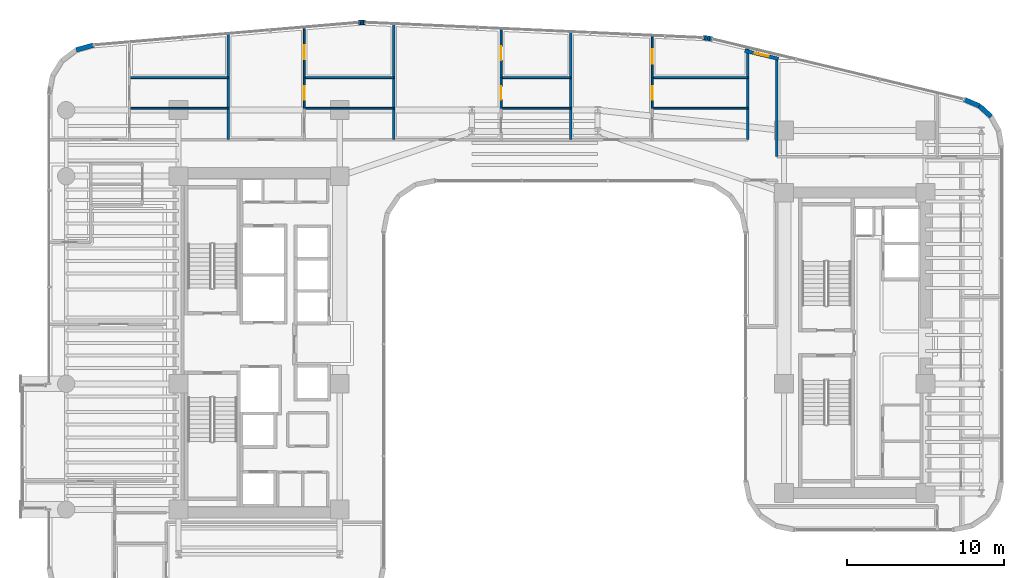
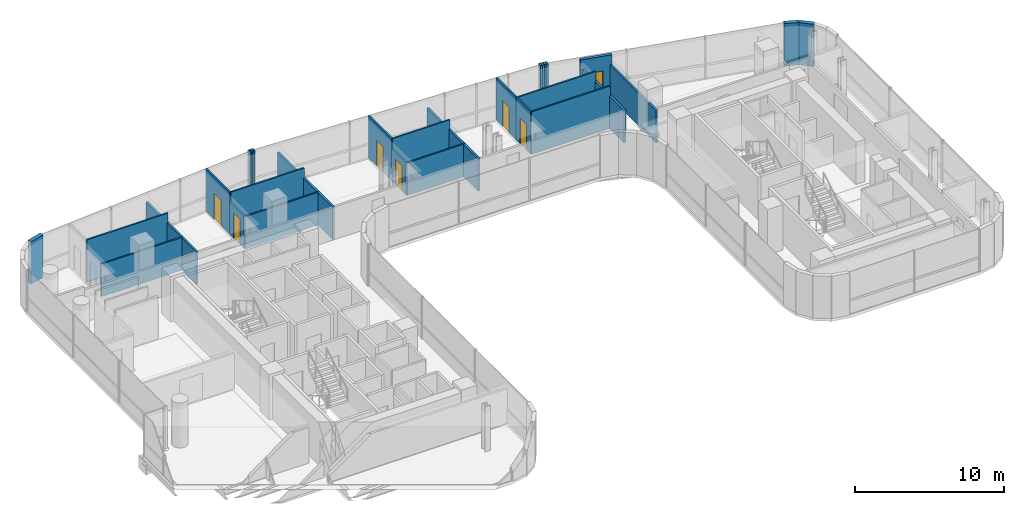
# One storey, part 32 of 38: 31 walls, 6 doors, 1 window, 7 openings.
"""IFC4 building model written with IfcOpenShell, lengths in metres."""

from ifc_helpers import new_model, si_unit, direction, frame, frame_2d, origin, place, context, subcontext, project, spatial, rectangle, extrude, material, layer, layer_set, type_object, element, fill, save


model = new_model("IFC4")

# Units and contexts
model_context = context("Model", 3, precision=1e-05, world=origin(), true_north=direction((0.0, 1.0)))
body_context = subcontext(model_context, "Body", "Model", "MODEL_VIEW")
ifc_project = project(units=[si_unit("LENGTHUNIT", "METRE"), si_unit("AREAUNIT", "SQUARE_METRE"), si_unit("VOLUMEUNIT", "CUBIC_METRE"), si_unit("PLANEANGLEUNIT", "RADIAN"), si_unit("MASSUNIT", "GRAM", prefix="KILO")], contexts=[model_context])

# Site, building, storey
site_placement = place(None, origin())
site = spatial("IfcSite", under=ifc_project, at=site_placement, CompositionType="ELEMENT")
building_placement = place(site_placement, origin())
building = spatial("IfcBuilding", under=site, at=building_placement, Name="Valdorenza Pilgrim Sanctuary Tower", CompositionType="ELEMENT")
storey_placement = place(building_placement, frame((0.0, 0.0, 131.60009765625)))
storey = spatial("IfcBuildingStorey", under=building, at=storey_placement, Name="L33", CompositionType="ELEMENT", Elevation=131.60009765625)

# Walls
ifc_material_1 = material(Name="Acoustic twin-stud gypsum partition", Category="gypsum")
ifc_layer_1 = layer(ifc_material_1, 0.159912109375, Name="Acoustic twin-stud gypsum partition")
ifc_layer_set_1 = layer_set([ifc_layer_1], Name="Acoustic twin-stud gypsum partition")
wall_type_1 = type_object("IfcWallType", Name="WAL-COR-160", PredefinedType="PARTITIONING", material=ifc_layer_set_1)
wall_1_placement = place(storey_placement, frame((13.550048828125, 12.919921875, 0.0), z_axis=(0.0, 0.0, 1.0), x_axis=(0.0, 1.0, 0.0)))
element("IfcWall", 1, at=wall_1_placement, inside=storey, type_object=wall_type_1, Name="L33 North Band East Closure", PredefinedType="PARTITIONING", context=body_context, shape_type="SweptSolid", body=[
    extrude(rectangle(XDim=5.856689453125, YDim=0.159912109375, at=frame_2d((2.92822265625, 0.0))), origin(), (0.0, 0.0, 1.0), 2.666015625),
])
wall_2_placement = place(storey_placement, frame((15.39990234375, 11.85009765625, 0.0), z_axis=(0.0, 0.0, 1.0), x_axis=(0.0, 1.0, 0.0)))
element("IfcWall", 2, at=wall_2_placement, inside=storey, type_object=wall_type_1, Name="L33 Wing B North West Wall", PredefinedType="PARTITIONING", context=body_context, shape_type="SweptSolid", body=[
    extrude(rectangle(XDim=6.14990234375, YDim=0.159912109375, at=frame_2d((3.074951171875, 0.0))), origin(), (0.0, 0.0, 1.0), 2.666015625),
])
ifc_material_2 = material(Name="Honed travertine limestone", Category="masonry")
ifc_layer_2 = layer(ifc_material_2, 0.300048828125, Name="Honed travertine limestone")
ifc_layer_set_2 = layer_set([ifc_layer_2], Name="Honed travertine limestone")
wall_type_2 = type_object("IfcWallType", Name="WAL-EXT-300", PredefinedType="SOLIDWALL", material=ifc_layer_set_2)
wall_3_placement = place(storey_placement, frame((-29.16064453125, 18.632568359375, 0.0), z_axis=(0.0, 0.0, 1.0), x_axis=(0.963624193367, 0.267260947313, 0.0)))
element("IfcWall", 3, at=wall_3_placement, inside=storey, type_object=wall_type_2, Name="L33 Rounded Wind-Corner Stone Pier 5", PredefinedType="SOLIDWALL", context=body_context, shape_type="SweptSolid", body=[
    extrude(rectangle(XDim=1.15087890625, YDim=0.300048828125, at=frame_2d((0.575439453125, 0.0))), origin(), (0.0, 0.0, 1.0), 3.4599609375),
])
wall_4_placement = place(storey_placement, frame((-11.199462890625, 20.37255859375, 0.0), z_axis=(0.0, 0.0, 1.0), x_axis=(0.997567332166, 0.069709524416, 0.0)))
element("IfcWall", 4, at=wall_4_placement, inside=storey, type_object=wall_type_2, Name="L33 Rounded Wind-Corner Stone Pier 7", PredefinedType="SOLIDWALL", context=body_context, shape_type="SweptSolid", body=[
    extrude(rectangle(XDim=0.1015625, YDim=0.300048828125, at=frame_2d((0.05078125, 0.0))), origin(), (0.0, 0.0, 1.0), 3.4599609375),
])
wall_5_placement = place(storey_placement, frame((-11.09814453125, 20.379638671875, 0.0), z_axis=(0.0, 0.0, 1.0), x_axis=(0.999334672785, 0.03647206835, 0.0)))
element("IfcWall", 5, at=wall_5_placement, inside=storey, type_object=wall_type_2, Name="L33 Rounded Wind-Corner Stone Pier 8", PredefinedType="SOLIDWALL", context=body_context, shape_type="SweptSolid", body=[
    extrude(rectangle(XDim=0.100341796875, YDim=0.300048828125, at=frame_2d((0.05029296875, 0.0))), origin(), (0.0, 0.0, 1.0), 3.4599609375),
])
wall_6_placement = place(storey_placement, frame((-10.997802734375, 20.38330078125, 0.0), z_axis=(0.0, 0.0, 1.0), x_axis=(0.999997054401, 0.002427177317, 0.0)))
element("IfcWall", 6, at=wall_6_placement, inside=storey, type_object=wall_type_2, Name="L33 Rounded Wind-Corner Stone Pier 9", PredefinedType="SOLIDWALL", context=body_context, shape_type="SweptSolid", body=[
    extrude(rectangle(XDim=0.1005859375, YDim=0.300048828125, at=frame_2d((0.05029296875, 0.0))), origin(), (0.0, 0.0, 1.0), 3.4599609375),
])
wall_7_placement = place(storey_placement, frame((-10.897216796875, 20.383544921875, 0.0), z_axis=(0.0, 0.0, 1.0), x_axis=(0.999584209171, -0.02883415988, 0.0)))
element("IfcWall", 7, at=wall_7_placement, inside=storey, type_object=wall_type_2, Name="L33 Rounded Wind-Corner Stone Pier 10", PredefinedType="SOLIDWALL", context=body_context, shape_type="SweptSolid", body=[
    extrude(rectangle(XDim=0.1015625, YDim=0.300048828125, at=frame_2d((0.05078125, 0.0))), origin(), (0.0, 0.0, 1.0), 3.4599609375),
])
wall_8_placement = place(storey_placement, frame((10.68994140625, 19.404052734375, 0.0), z_axis=(0.0, 0.0, 1.0), x_axis=(0.99758310784, -0.069483400546, 0.0)))
element("IfcWall", 8, at=wall_8_placement, inside=storey, type_object=wall_type_2, Name="L33 Rounded Wind-Corner Stone Pier 12", PredefinedType="SOLIDWALL", context=body_context, shape_type="SweptSolid", body=[
    extrude(rectangle(XDim=0.1474609375, YDim=0.300048828125, at=frame_2d((0.07373046875, 0.0))), origin(), (0.0, 0.0, 1.0), 3.4599609375),
])
for number, where, z_axis, x_axis, name in (
    (9, (10.837158203125, 19.393798828125, 0.0), (0.0, 0.0, 1.0), (0.993173334962, -0.116647874912, 0.0), "L33 Rounded Wind-Corner Stone Pier 13"),
    (10, (10.982666015625, 19.376708984375, 0.0), (0.0, 0.0, 1.0), (0.986573494681, -0.163317909592, 0.0), "L33 Rounded Wind-Corner Stone Pier 14"),
):
    element("IfcWall", number, at=place(storey_placement, frame(where, z_axis=z_axis, x_axis=x_axis)), inside=storey, type_object=wall_type_2, Name=name, PredefinedType="SOLIDWALL", context=body_context, shape_type="SweptSolid", body=[
        extrude(rectangle(XDim=0.146484375, YDim=0.300048828125, at=frame_2d((0.0732421875, 0.0))), origin(), (0.0, 0.0, 1.0), 3.4599609375),
    ])
wall_9_placement = place(storey_placement, frame((11.127197265625, 19.352783203125, 0.0), z_axis=(0.0, 0.0, 1.0), x_axis=(0.978019841688, -0.208511844421, 0.0)))
element("IfcWall", 11, at=wall_9_placement, inside=storey, type_object=wall_type_2, Name="L33 Rounded Wind-Corner Stone Pier 15", PredefinedType="SOLIDWALL", context=body_context, shape_type="SweptSolid", body=[
    extrude(rectangle(XDim=0.1474609375, YDim=0.300048828125, at=frame_2d((0.07373046875, 0.0))), origin(), (0.0, 0.0, 1.0), 3.4599609375),
])

# Wall, opening, window
wall_10_placement = place(storey_placement, frame((13.355224609375, 18.576416015625, 0.0), z_axis=(0.0, 0.0, 1.0), x_axis=(0.97252211384, -0.232810519721, 0.0)))
wall_10 = element("IfcWall", 12, at=wall_10_placement, inside=storey, type_object=wall_type_2, Name="L33 Operable Ventilation Sash Jamb Pier", PredefinedType="SOLIDWALL", context=body_context, shape_type="SweptSolid", body=[
    extrude(rectangle(XDim=2.2001953125, YDim=0.219970703125, at=frame_2d((1.10009765625, 0.0))), origin(), (0.0, 0.0, 1.0), 3.4599609375),
])
opening_1_placement = place(wall_10_placement, frame((0.64990234375, 0.0, 0.949951171875)))
opening_1 = element("IfcOpeningElement", 13, at=opening_1_placement, cuts=wall_10, Name="Opening WN-OP1", PredefinedType="OPENING", context=body_context, shape_type="SweptSolid", body=[
    extrude(rectangle(XDim=0.89990234375, YDim=1.300048828125, at=frame_2d((0.449951171875, 0.64990234375))), frame((0.0, 0.125, 0.0), z_axis=(0.0, -1.0, 0.0), x_axis=(1.0, 0.0, 0.0)), (0.0, 0.0, 1.0), 0.249755859375),
])
ifc_material_3 = material(Name="Ceramic-fritted low-E IGU glazing", Category="glass")
window_type = type_object("IfcWindowType", Name="WIN-OPN-900", PartitioningType="SINGLE_PANEL", PredefinedType="WINDOW", material=ifc_material_3)
window_placement = place(opening_1_placement, origin())
window = element("IfcWindow", 14, at=window_placement, inside=storey, type_object=window_type, Name="L33 Parallel-Pop-Out Operable Facade Panel", OverallHeight=1.300048828125, OverallWidth=0.89990234375, PartitioningType="SINGLE_PANEL", PredefinedType="WINDOW", context=body_context, shape_type="SweptSolid", body=[
    extrude(rectangle(XDim=0.89990234375, YDim=1.300048828125, at=frame_2d((0.449951171875, 0.64990234375))), frame((0.0, 0.030029296875, 0.0), z_axis=(0.0, -1.0, 0.0), x_axis=(1.0, 0.0, 0.0)), (0.0, 0.0, 1.0), 0.06005859375),
])
fill(opening_1, window)

# Walls
wall_11_placement = place(storey_placement, frame((27.310302734375, 15.48291015625, 0.0), z_axis=(0.0, 0.0, 1.0), x_axis=(0.920250328759, -0.391330208927, 0.0)))
element("IfcWall", 15, at=wall_11_placement, inside=storey, type_object=wall_type_2, Name="L33 Rounded Wind-Corner Stone Pier 17", PredefinedType="SOLIDWALL", context=body_context, shape_type="SweptSolid", body=[
    extrude(rectangle(XDim=1.0361328125, YDim=0.300048828125, at=frame_2d((0.51806640625, 0.0))), origin(), (0.0, 0.0, 1.0), 3.4599609375),
])
wall_12_placement = place(storey_placement, frame((28.263916015625, 15.077392578125, 0.0), z_axis=(0.0, 0.0, 1.0), x_axis=(0.741208839713, -0.671274501178, 0.0)))
element("IfcWall", 16, at=wall_12_placement, inside=storey, type_object=wall_type_2, Name="L33 Rounded Wind-Corner Stone Pier 18", PredefinedType="SOLIDWALL", context=body_context, shape_type="SweptSolid", body=[
    extrude(rectangle(XDim=1.0263671875, YDim=0.300048828125, at=frame_2d((0.51318359375, 0.0))), origin(), (0.0, 0.0, 1.0), 3.4599609375),
])
ifc_material_4 = material(Name="Moisture-resistant gypsum partition", Category="gypsum")
ifc_layer_3 = layer(ifc_material_4, 0.1201171875, Name="Moisture-resistant gypsum partition")
ifc_layer_set_3 = layer_set([ifc_layer_3], Name="Moisture-resistant gypsum partition")
wall_type_3 = type_object("IfcWallType", Name="WAL-INT-120", PredefinedType="PARTITIONING", material=ifc_layer_set_3)
wall_13_placement = place(storey_placement, frame((-25.77490234375, 14.919921875, 0.0), z_axis=(0.0, 0.0, 1.0), x_axis=(1.0, 0.0, 0.0)))
element("IfcWall", 17, at=wall_13_placement, inside=storey, type_object=wall_type_3, Name="L33 North Sanctuary Apartment L33-N1 Bath-Kitchen Wall", PredefinedType="PARTITIONING", context=body_context, shape_type="SweptSolid", body=[
    extrude(rectangle(XDim=6.27490234375, YDim=0.1201171875, at=frame_2d((3.137451171875, 0.0))), origin(), (0.0, 0.0, 1.0), 2.666015625),
])
wall_14_placement = place(storey_placement, frame((-25.77490234375, 16.8701171875, 0.0), z_axis=(0.0, 0.0, 1.0), x_axis=(1.0, 0.0, 0.0)))
element("IfcWall", 18, at=wall_14_placement, inside=storey, type_object=wall_type_3, Name="L33 North Sanctuary Apartment L33-N1 Kitchen-Bedroom Wall", PredefinedType="PARTITIONING", context=body_context, shape_type="SweptSolid", body=[
    extrude(rectangle(XDim=6.27490234375, YDim=0.1201171875, at=frame_2d((3.137451171875, 0.0))), origin(), (0.0, 0.0, 1.0), 3.4599609375),
])
wall_15_placement = place(storey_placement, frame((-14.658447265625, 14.919921875, 0.0), z_axis=(0.0, 0.0, 1.0), x_axis=(1.0, 0.0, 0.0)))
element("IfcWall", 19, at=wall_15_placement, inside=storey, type_object=wall_type_3, Name="L33 North Sanctuary Apartment L33-N2 Bath-Kitchen Wall", PredefinedType="PARTITIONING", context=body_context, shape_type="SweptSolid", body=[
    extrude(rectangle(XDim=5.683349609375, YDim=0.1201171875, at=frame_2d((2.841796875, 0.0))), origin(), (0.0, 0.0, 1.0), 2.666015625),
])
wall_16_placement = place(storey_placement, frame((-14.658447265625, 16.8701171875, 0.0), z_axis=(0.0, 0.0, 1.0), x_axis=(1.0, 0.0, 0.0)))
element("IfcWall", 20, at=wall_16_placement, inside=storey, type_object=wall_type_3, Name="L33 North Sanctuary Apartment L33-N2 Kitchen-Bedroom Wall", PredefinedType="PARTITIONING", context=body_context, shape_type="SweptSolid", body=[
    extrude(rectangle(XDim=5.683349609375, YDim=0.1201171875, at=frame_2d((2.841796875, 0.0))), origin(), (0.0, 0.0, 1.0), 3.4599609375),
])

# Wall, opening, door
wall_17_placement = place(storey_placement, frame((-14.658447265625, 14.919921875, 0.0), z_axis=(0.0, 0.0, 1.0), x_axis=(0.0, 1.0, 0.0)))
wall_17 = element("IfcWall", 21, at=wall_17_placement, inside=storey, type_object=wall_type_3, Name="L33 North Sanctuary Apartment L33-N2 Bathroom Door Wall", PredefinedType="PARTITIONING", context=body_context, shape_type="SweptSolid", body=[
    extrude(rectangle(XDim=1.9501953125, YDim=0.1201171875, at=frame_2d((0.97509765625, 0.0))), origin(), (0.0, 0.0, 1.0), 2.666015625),
])
opening_2_placement = place(wall_17_placement, frame((0.550048828125, 0.0, 0.0)))
opening_2 = element("IfcOpeningElement", 22, at=opening_2_placement, cuts=wall_17, Name="Opening DR-WC1", PredefinedType="OPENING", context=body_context, shape_type="SweptSolid", body=[
    extrude(rectangle(XDim=0.85009765625, YDim=2.10009765625, at=frame_2d((0.425048828125, 1.050048828125))), frame((0.0, 0.074951171875, 0.0), z_axis=(0.0, -1.0, 0.0), x_axis=(1.0, 0.0, 0.0)), (0.0, 0.0, 1.0), 0.14990234375),
])
ifc_material_5 = material(Name="Moisture-resistant lacquered timber", Category="wood")
door_type_1 = type_object("IfcDoorType", Name="DR-BATH-850", OperationType="NOTDEFINED", PredefinedType="DOOR", material=ifc_material_5)
door_1_placement = place(opening_2_placement, origin())
door_1 = element("IfcDoor", 23, at=door_1_placement, inside=storey, type_object=door_type_1, Name="L33 North Sanctuary Apartment L33-N2 Bathroom Door", OperationType="SINGLE_SWING_LEFT", OverallHeight=2.10009765625, OverallWidth=0.85009765625, PredefinedType="DOOR", context=body_context, shape_type="SweptSolid", body=[
    extrude(rectangle(XDim=0.85009765625, YDim=2.10009765625, at=frame_2d((0.425048828125, 1.050048828125))), frame((0.0, 0.02490234375, 0.0), z_axis=(0.0, -1.0, 0.0), x_axis=(1.0, 0.0, 0.0)), (0.0, 0.0, 1.0), 0.050048828125),
])
fill(opening_2, door_1)

wall_18_placement = place(storey_placement, frame((-14.658447265625, 16.8701171875, 0.0), z_axis=(0.0, 0.0, 1.0), x_axis=(0.0, 1.0, 0.0)))
wall_18 = element("IfcWall", 24, at=wall_18_placement, inside=storey, type_object=wall_type_3, Name="L33 North Sanctuary Apartment L33-N2 Bedroom Door Wall", PredefinedType="PARTITIONING", context=body_context, shape_type="SweptSolid", body=[
    extrude(rectangle(XDim=3.20849609375, YDim=0.1201171875, at=frame_2d((1.604248046875, 0.0))), origin(), (0.0, 0.0, 1.0), 3.4599609375),
])
opening_3_placement = place(wall_18_placement, frame((1.154052734375, 0.0, 0.0)))
opening_3 = element("IfcOpeningElement", 25, at=opening_3_placement, cuts=wall_18, Name="Opening DR-RM1", PredefinedType="OPENING", context=body_context, shape_type="SweptSolid", body=[
    extrude(rectangle(XDim=0.89990234375, YDim=2.10009765625, at=frame_2d((0.449951171875, 1.050048828125))), frame((0.0, 0.074951171875, 0.0), z_axis=(0.0, -1.0, 0.0), x_axis=(1.0, 0.0, 0.0)), (0.0, 0.0, 1.0), 0.14990234375),
])
ifc_material_6 = material(Name="Solid-core European oak timber", Category="wood")
door_type_2 = type_object("IfcDoorType", Name="DR-ROOM-900", OperationType="NOTDEFINED", PredefinedType="DOOR", material=ifc_material_6)
door_2_placement = place(opening_3_placement, frame((0.89990234375, 0.0, 0.0), z_axis=(0.0, 0.0, 1.0), x_axis=(-1.0, 0.0, 0.0)))
door_2 = element("IfcDoor", 26, at=door_2_placement, inside=storey, type_object=door_type_2, Name="L33 North Sanctuary Apartment L33-N2 Bedroom Door", OperationType="SINGLE_SWING_LEFT", OverallHeight=2.10009765625, OverallWidth=0.89990234375, PredefinedType="DOOR", context=body_context, shape_type="SweptSolid", body=[
    extrude(rectangle(XDim=0.89990234375, YDim=2.10009765625, at=frame_2d((0.449951171875, 1.050048828125))), frame((0.0, 0.02490234375, 0.0), z_axis=(0.0, -1.0, 0.0), x_axis=(1.0, 0.0, 0.0)), (0.0, 0.0, 1.0), 0.050048828125),
])
fill(opening_3, door_2)

# Walls
wall_19_placement = place(storey_placement, frame((-2.14453125, 14.919921875, 0.0), z_axis=(0.0, 0.0, 1.0), x_axis=(1.0, 0.0, 0.0)))
element("IfcWall", 27, at=wall_19_placement, inside=storey, type_object=wall_type_3, Name="L33 North Sanctuary Apartment L33-N3 Bath-Kitchen Wall", PredefinedType="PARTITIONING", context=body_context, shape_type="SweptSolid", body=[
    extrude(rectangle(XDim=4.431640625, YDim=0.1201171875, at=frame_2d((2.2158203125, 0.0))), origin(), (0.0, 0.0, 1.0), 2.666015625),
])
wall_20_placement = place(storey_placement, frame((-2.14453125, 16.8701171875, 0.0), z_axis=(0.0, 0.0, 1.0), x_axis=(1.0, 0.0, 0.0)))
element("IfcWall", 28, at=wall_20_placement, inside=storey, type_object=wall_type_3, Name="L33 North Sanctuary Apartment L33-N3 Kitchen-Bedroom Wall", PredefinedType="PARTITIONING", context=body_context, shape_type="SweptSolid", body=[
    extrude(rectangle(XDim=4.431640625, YDim=0.1201171875, at=frame_2d((2.2158203125, 0.0))), origin(), (0.0, 0.0, 1.0), 3.4599609375),
])

# Wall, opening, door
wall_21_placement = place(storey_placement, frame((-2.14453125, 14.919921875, 0.0), z_axis=(0.0, 0.0, 1.0), x_axis=(0.0, 1.0, 0.0)))
wall_21 = element("IfcWall", 29, at=wall_21_placement, inside=storey, type_object=wall_type_3, Name="L33 North Sanctuary Apartment L33-N3 Bathroom Door Wall", PredefinedType="PARTITIONING", context=body_context, shape_type="SweptSolid", body=[
    extrude(rectangle(XDim=1.9501953125, YDim=0.1201171875, at=frame_2d((0.97509765625, 0.0))), origin(), (0.0, 0.0, 1.0), 2.666015625),
])
opening_4_placement = place(wall_21_placement, frame((0.550048828125, 0.0, 0.0)))
opening_4 = element("IfcOpeningElement", 30, at=opening_4_placement, cuts=wall_21, Name="Opening DR-WC1", PredefinedType="OPENING", context=body_context, shape_type="SweptSolid", body=[
    extrude(rectangle(XDim=0.85009765625, YDim=2.10009765625, at=frame_2d((0.425048828125, 1.050048828125))), frame((0.0, 0.074951171875, 0.0), z_axis=(0.0, -1.0, 0.0), x_axis=(1.0, 0.0, 0.0)), (0.0, 0.0, 1.0), 0.14990234375),
])
door_3_placement = place(opening_4_placement, origin())
door_3 = element("IfcDoor", 31, at=door_3_placement, inside=storey, type_object=door_type_1, Name="L33 North Sanctuary Apartment L33-N3 Bathroom Door", OperationType="SINGLE_SWING_LEFT", OverallHeight=2.10009765625, OverallWidth=0.85009765625, PredefinedType="DOOR", context=body_context, shape_type="SweptSolid", body=[
    extrude(rectangle(XDim=0.85009765625, YDim=2.10009765625, at=frame_2d((0.425048828125, 1.050048828125))), frame((0.0, 0.02490234375, 0.0), z_axis=(0.0, -1.0, 0.0), x_axis=(1.0, 0.0, 0.0)), (0.0, 0.0, 1.0), 0.050048828125),
])
fill(opening_4, door_3)

wall_22_placement = place(storey_placement, frame((-2.14453125, 16.8701171875, 0.0), z_axis=(0.0, 0.0, 1.0), x_axis=(0.0, 1.0, 0.0)))
wall_22 = element("IfcWall", 32, at=wall_22_placement, inside=storey, type_object=wall_type_3, Name="L33 North Sanctuary Apartment L33-N3 Bedroom Door Wall", PredefinedType="PARTITIONING", context=body_context, shape_type="SweptSolid", body=[
    extrude(rectangle(XDim=3.1171875, YDim=0.1201171875, at=frame_2d((1.55859375, 0.0))), origin(), (0.0, 0.0, 1.0), 3.4599609375),
])
opening_5_placement = place(wall_22_placement, frame((1.10888671875, 0.0, 0.0)))
opening_5 = element("IfcOpeningElement", 33, at=opening_5_placement, cuts=wall_22, Name="Opening DR-RM1", PredefinedType="OPENING", context=body_context, shape_type="SweptSolid", body=[
    extrude(rectangle(XDim=0.89990234375, YDim=2.10009765625, at=frame_2d((0.449951171875, 1.050048828125))), frame((0.0, 0.074951171875, 0.0), z_axis=(0.0, -1.0, 0.0), x_axis=(1.0, 0.0, 0.0)), (0.0, 0.0, 1.0), 0.14990234375),
])
door_4_placement = place(opening_5_placement, frame((0.89990234375, 0.0, 0.0), z_axis=(0.0, 0.0, 1.0), x_axis=(-1.0, 0.0, 0.0)))
door_4 = element("IfcDoor", 34, at=door_4_placement, inside=storey, type_object=door_type_2, Name="L33 North Sanctuary Apartment L33-N3 Bedroom Door", OperationType="SINGLE_SWING_LEFT", OverallHeight=2.10009765625, OverallWidth=0.89990234375, PredefinedType="DOOR", context=body_context, shape_type="SweptSolid", body=[
    extrude(rectangle(XDim=0.89990234375, YDim=2.10009765625, at=frame_2d((0.449951171875, 1.050048828125))), frame((0.0, 0.02490234375, 0.0), z_axis=(0.0, -1.0, 0.0), x_axis=(1.0, 0.0, 0.0)), (0.0, 0.0, 1.0), 0.050048828125),
])
fill(opening_5, door_4)

# Walls
for number, where, z_axis, x_axis, name in (
    (35, (7.468017578125, 14.919921875, 0.0), (0.0, 0.0, 1.0), (1.0, 0.0, 0.0), "L33 North Sanctuary Apartment L33-N4 Bath-Kitchen Wall"),
    (36, (7.468017578125, 16.8701171875, 0.0), (0.0, 0.0, 1.0), (1.0, 0.0, 0.0), "L33 North Sanctuary Apartment L33-N4 Kitchen-Bedroom Wall"),
):
    element("IfcWall", number, at=place(storey_placement, frame(where, z_axis=z_axis, x_axis=x_axis)), inside=storey, type_object=wall_type_3, Name=name, PredefinedType="PARTITIONING", context=body_context, shape_type="SweptSolid", body=[
        extrude(rectangle(XDim=6.08203125, YDim=0.1201171875, at=frame_2d((3.041015625, 0.0))), origin(), (0.0, 0.0, 1.0), 3.4599609375),
    ])

# Wall, opening, door
wall_23_placement = place(storey_placement, frame((7.468017578125, 14.919921875, 0.0), z_axis=(0.0, 0.0, 1.0), x_axis=(0.0, 1.0, 0.0)))
wall_23 = element("IfcWall", 37, at=wall_23_placement, inside=storey, type_object=wall_type_3, Name="L33 North Sanctuary Apartment L33-N4 Bathroom Door Wall", PredefinedType="PARTITIONING", context=body_context, shape_type="SweptSolid", body=[
    extrude(rectangle(XDim=1.9501953125, YDim=0.1201171875, at=frame_2d((0.97509765625, 0.0))), origin(), (0.0, 0.0, 1.0), 3.4599609375),
])
opening_6_placement = place(wall_23_placement, frame((0.550048828125, 0.0, 0.0)))
opening_6 = element("IfcOpeningElement", 38, at=opening_6_placement, cuts=wall_23, Name="Opening DR-WC1", PredefinedType="OPENING", context=body_context, shape_type="SweptSolid", body=[
    extrude(rectangle(XDim=0.85009765625, YDim=2.10009765625, at=frame_2d((0.425048828125, 1.050048828125))), frame((0.0, 0.074951171875, 0.0), z_axis=(0.0, -1.0, 0.0), x_axis=(1.0, 0.0, 0.0)), (0.0, 0.0, 1.0), 0.14990234375),
])
door_5_placement = place(opening_6_placement, origin())
door_5 = element("IfcDoor", 39, at=door_5_placement, inside=storey, type_object=door_type_1, Name="L33 North Sanctuary Apartment L33-N4 Bathroom Door", OperationType="SINGLE_SWING_LEFT", OverallHeight=2.10009765625, OverallWidth=0.85009765625, PredefinedType="DOOR", context=body_context, shape_type="SweptSolid", body=[
    extrude(rectangle(XDim=0.85009765625, YDim=2.10009765625, at=frame_2d((0.425048828125, 1.050048828125))), frame((0.0, 0.02490234375, 0.0), z_axis=(0.0, -1.0, 0.0), x_axis=(1.0, 0.0, 0.0)), (0.0, 0.0, 1.0), 0.050048828125),
])
fill(opening_6, door_5)

wall_24_placement = place(storey_placement, frame((7.468017578125, 16.8701171875, 0.0), z_axis=(0.0, 0.0, 1.0), x_axis=(0.0, 1.0, 0.0)))
wall_24 = element("IfcWall", 40, at=wall_24_placement, inside=storey, type_object=wall_type_3, Name="L33 North Sanctuary Apartment L33-N4 Bedroom Door Wall", PredefinedType="PARTITIONING", context=body_context, shape_type="SweptSolid", body=[
    extrude(rectangle(XDim=2.68017578125, YDim=0.1201171875, at=frame_2d((1.340087890625, 0.0))), origin(), (0.0, 0.0, 1.0), 3.4599609375),
])
opening_7_placement = place(wall_24_placement, frame((0.889892578125, 0.0, 0.0)))
opening_7 = element("IfcOpeningElement", 41, at=opening_7_placement, cuts=wall_24, Name="Opening DR-RM1", PredefinedType="OPENING", context=body_context, shape_type="SweptSolid", body=[
    extrude(rectangle(XDim=0.89990234375, YDim=2.10009765625, at=frame_2d((0.449951171875, 1.050048828125))), frame((0.0, 0.074951171875, 0.0), z_axis=(0.0, -1.0, 0.0), x_axis=(1.0, 0.0, 0.0)), (0.0, 0.0, 1.0), 0.14990234375),
])
door_6_placement = place(opening_7_placement, frame((0.89990234375, 0.0, 0.0), z_axis=(0.0, 0.0, 1.0), x_axis=(-1.0, 0.0, 0.0)))
door_6 = element("IfcDoor", 42, at=door_6_placement, inside=storey, type_object=door_type_2, Name="L33 North Sanctuary Apartment L33-N4 Bedroom Door", OperationType="SINGLE_SWING_LEFT", OverallHeight=2.10009765625, OverallWidth=0.89990234375, PredefinedType="DOOR", context=body_context, shape_type="SweptSolid", body=[
    extrude(rectangle(XDim=0.89990234375, YDim=2.10009765625, at=frame_2d((0.449951171875, 1.050048828125))), frame((0.0, 0.02490234375, 0.0), z_axis=(0.0, -1.0, 0.0), x_axis=(1.0, 0.0, 0.0)), (0.0, 0.0, 1.0), 0.050048828125),
])
fill(opening_7, door_6)

# Walls
ifc_layer_4 = layer(ifc_material_1, 0.14990234375, Name="Acoustic twin-stud gypsum partition")
ifc_layer_set_4 = layer_set([ifc_layer_4], Name="Acoustic twin-stud gypsum partition")
wall_type_4 = type_object("IfcWallType", Name="WAL-UNT-150", PredefinedType="PARTITIONING", material=ifc_layer_set_4)
wall_25_placement = place(storey_placement, frame((-19.5, 12.919921875, 0.0), z_axis=(0.0, 0.0, 1.0), x_axis=(0.0, 1.0, 0.0)))
element("IfcWall", 43, at=wall_25_placement, inside=storey, type_object=wall_type_4, Name="L33 North Apt Demising 1", PredefinedType="PARTITIONING", context=body_context, shape_type="SweptSolid", body=[
    extrude(rectangle(XDim=6.7470703125, YDim=0.14990234375, at=frame_2d((3.37353515625, 0.0))), origin(), (0.0, 0.0, 1.0), 2.666015625),
])
wall_26_placement = place(storey_placement, frame((-8.97509765625, 12.919921875, 0.0), z_axis=(0.0, 0.0, 1.0), x_axis=(0.0, 1.0, 0.0)))
element("IfcWall", 44, at=wall_26_placement, inside=storey, type_object=wall_type_4, Name="L33 North Apt Demising 2", PredefinedType="PARTITIONING", context=body_context, shape_type="SweptSolid", body=[
    extrude(rectangle(XDim=7.3779296875, YDim=0.14990234375, at=frame_2d((3.68896484375, 0.0))), origin(), (0.0, 0.0, 1.0), 2.666015625),
])
wall_27_placement = place(storey_placement, frame((2.287109375, 12.919921875, 0.0), z_axis=(0.0, 0.0, 1.0), x_axis=(0.0, 1.0, 0.0)))
element("IfcWall", 45, at=wall_27_placement, inside=storey, type_object=wall_type_4, Name="L33 North Apt Demising 3", PredefinedType="PARTITIONING", context=body_context, shape_type="SweptSolid", body=[
    extrude(rectangle(XDim=6.865966796875, YDim=0.14990234375, at=frame_2d((3.43310546875, 0.0))), origin(), (0.0, 0.0, 1.0), 2.666015625),
])

save(model, "model.ifc")
